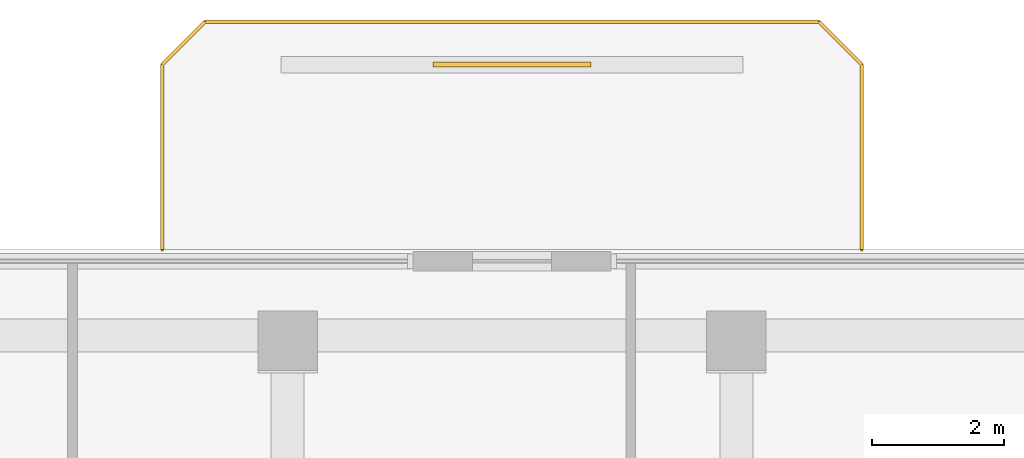
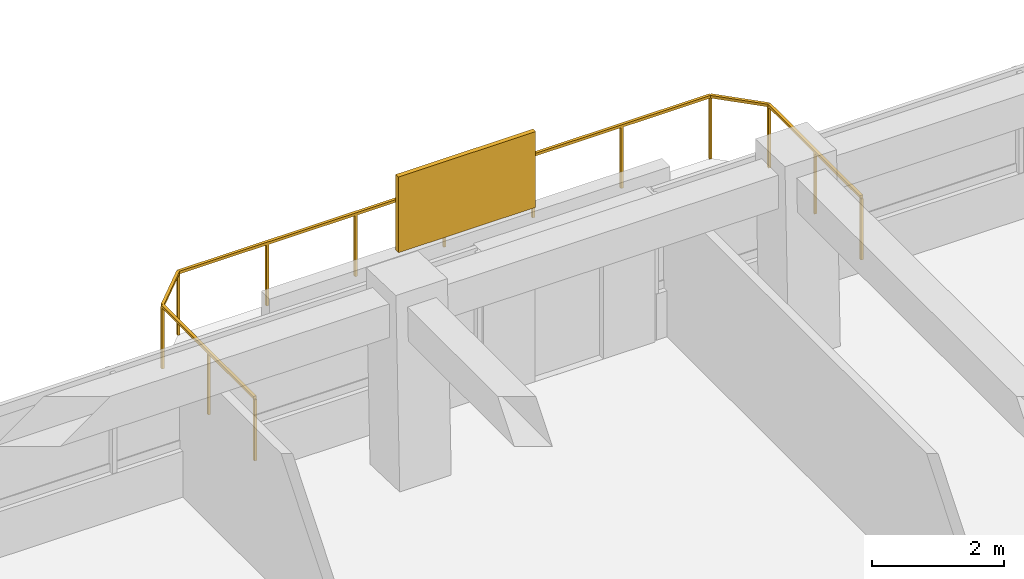
# One storey, part 13 of 13: 1 railing, 1 shading device.
"""IFC4 building model written with IfcOpenShell, lengths in metres."""

import ifcopenshell
import ifcopenshell.guid

model = None  # the IFC model being written
_history = None  # IfcOwnerHistory: only IFC2X3 demands one
_inside = {}  # id of a spatial element -> (the spatial element, [elements in it])
_under = {}  # id of a project, library or spatial element -> (it, [spatial elements below it])
_declared = {}  # id of a project -> (the project, [libraries it declares])
_typed = {}  # id of a type object -> (the type object, [elements of that type])
_made_of = {}  # id of a material, layer set ... -> (it, [elements and type objects made of it])


def new_model(schema):
    """Start an empty IFC model of exactly this schema.

    Asked for "IFC4X3", IfcOpenShell would pick the latest addendum, in which some entities
    have other attributes; the version numbers below select the first issue.
    IFC2X3 requires an IfcOwnerHistory on every rooted entity: one is made here for all.
    """
    global model, _history
    if schema == "IFC4X3":
        model = ifcopenshell.file(schema_version=(4, 3, 0, 0))
    else:
        model = ifcopenshell.file(schema=schema)
    _inside.clear()
    _under.clear()
    _declared.clear()
    _typed.clear()
    _made_of.clear()
    _history = None
    if model.schema == "IFC2X3":
        org = make("IfcOrganization", Name="unknown")
        user = make(
            "IfcPersonAndOrganization",
            ThePerson=make("IfcPerson", FamilyName="unknown"),
            TheOrganization=org,
        )
        app = make(
            "IfcApplication",
            ApplicationDeveloper=org,
            Version="unknown",
            ApplicationFullName="unknown",
            ApplicationIdentifier="unknown",
        )
        _history = make(
            "IfcOwnerHistory",
            OwningUser=user,
            OwningApplication=app,
            ChangeAction="ADDED",
            CreationDate=0,
        )
    return model


def make(cls, **values):
    """One entity of the class cls with the attributes given. An attribute that is None is left unset."""
    return model.create_entity(
        cls, **{name: value for name, value in values.items() if value is not None}
    )


def rooted(cls, **values):
    """An entity with a GlobalId (a new one), such as an element, a storey or a relation."""
    return make(cls, GlobalId=ifcopenshell.guid.new(), OwnerHistory=_history, **values)


def si_unit(unit_type, name, prefix=None):
    """IfcSIUnit, for example si_unit("LENGTHUNIT", "METRE", prefix="MILLI")."""
    return make("IfcSIUnit", UnitType=unit_type, Prefix=prefix, Name=name)


def derived_unit(unit_type, elements):
    """IfcDerivedUnit: a product of units, each with its exponent."""
    return make(
        "IfcDerivedUnit",
        Elements=[
            make("IfcDerivedUnitElement", Unit=unit, Exponent=power)
            for unit, power in elements
        ],
        UnitType=unit_type,
    )


def assignment(units):
    """IfcUnitAssignment: the units of a project."""
    return None if units is None else make("IfcUnitAssignment", Units=units)


def point(xyz):
    """IfcCartesianPoint."""
    return None if xyz is None else make("IfcCartesianPoint", Coordinates=xyz)


def direction(xyz):
    """IfcDirection."""
    return None if xyz is None else make("IfcDirection", DirectionRatios=xyz)


def frame(location, z_axis=None, x_axis=None):
    """IfcAxis2Placement3D, a coordinate frame: its origin and axes. An axis left out is left unset."""
    return make(
        "IfcAxis2Placement3D",
        Location=point(location),
        Axis=direction(z_axis),
        RefDirection=direction(x_axis),
    )


def frame_2d(location, x_axis=None):
    """IfcAxis2Placement2D, a coordinate frame in the plane: its origin and x axis."""
    return make(
        "IfcAxis2Placement2D", Location=point(location), RefDirection=direction(x_axis)
    )


def origin():
    """The frame at (0, 0, 0) with its axes left unset."""
    return frame((0.0, 0.0, 0.0))


def origin_2d():
    """The frame at (0, 0) in the plane with its x axis left unset."""
    return frame_2d((0.0, 0.0))


def place(relative_to, where):
    """IfcLocalPlacement: puts the frame where relative to a parent placement (None: the world)."""
    return make(
        "IfcLocalPlacement", PlacementRelTo=relative_to, RelativePlacement=where
    )


def context(
    kind, dimensions, precision=None, world=None, true_north=None, identifier=None
):
    """IfcGeometricRepresentationContext, for example the 3D "Model" context."""
    return make(
        "IfcGeometricRepresentationContext",
        ContextIdentifier=identifier,
        ContextType=kind,
        CoordinateSpaceDimension=dimensions,
        Precision=precision,
        WorldCoordinateSystem=world,
        TrueNorth=true_north,
    )


def subcontext(parent, identifier, kind, view, scale=None):
    """IfcGeometricRepresentationSubContext, for example "Body" below "Model"."""
    return make(
        "IfcGeometricRepresentationSubContext",
        ContextIdentifier=identifier,
        ContextType=kind,
        ParentContext=parent,
        TargetScale=scale,
        TargetView=view,
    )


def project(units=None, contexts=None):
    """IfcProject with its units and contexts."""
    return rooted(
        "IfcProject",
        Name="project",
        RepresentationContexts=contexts,
        UnitsInContext=assignment(units),
    )


def spatial(cls, under=None, at=None, **own):
    """A site, building, storey or space (cls), placed at a placement, below another one or the project."""
    s = rooted(cls, ObjectPlacement=at, **own)
    if under is not None:
        _under.setdefault(under.id(), (under, []))[1].append(s)
    return s


def profile(cls, at=None, kind="AREA", **sizes):
    """A parametric profile (cls). Its sizes go by their IFC names, for example OverallWidth=200.0."""
    return make(cls, ProfileType=kind, Position=at, **sizes)


def rectangle(**sizes):
    """IfcRectangleProfileDef."""
    return profile("IfcRectangleProfileDef", **sizes)


def extrude(swept, where, along, depth):
    """IfcExtrudedAreaSolid: the profile swept, set in the frame where, extruded along a direction by depth."""
    return make(
        "IfcExtrudedAreaSolid",
        SweptArea=swept,
        Position=where,
        ExtrudedDirection=direction(along),
        Depth=depth,
    )


def shape(context_of_items, identifier, shape_type, items):
    """IfcShapeRepresentation: the items that make up one representation, for example the "Body"."""
    return make(
        "IfcShapeRepresentation",
        ContextOfItems=context_of_items,
        RepresentationIdentifier=identifier,
        RepresentationType=shape_type,
        Items=items,
    )


def material(Name=None, Category=None):
    """IfcMaterial."""
    return make("IfcMaterial", Name=Name, Category=Category)


def layer(
    of_material, thickness, ventilated=None, Name=None, Category=None, Priority=None
):
    """IfcMaterialLayer: one layer of a wall or slab, of a material (None: an air gap)."""
    return make(
        "IfcMaterialLayer",
        Material=of_material,
        LayerThickness=thickness,
        IsVentilated=ventilated,
        Name=Name,
        Category=Category,
        Priority=Priority,
    )


def layer_set(layers, Name=None):
    """IfcMaterialLayerSet."""
    return make("IfcMaterialLayerSet", MaterialLayers=layers, LayerSetName=Name)


def made_of(thing, what):
    """Note that an element or type object is made of a material, layer set ...; save() writes the relation."""
    if what is not None:
        _made_of.setdefault(what.id(), (what, []))[1].append(thing)
    return thing


def type_object(cls, material=None, **own):
    """A type object (cls), such as IfcWallType, which elements share."""
    return made_of(rooted(cls, **own), material)


def element(
    cls,
    number,
    at=None,
    inside=None,
    cuts=None,
    type_object=None,
    material=None,
    context=None,
    identifier="Body",
    shape_type=None,
    held_by="IfcProductDefinitionShape",
    body=None,
    shapes=None,
    **own,
):
    """One element of the class cls, such as IfcWall. Its Tag is "e" and its number.

    at: its placement. inside: the storey or other place that contains it. cuts: it is an
    opening in that element (IfcRelVoidsElement). A single representation is given by context,
    identifier, shape_type and body (its items); several are given by shapes. held_by: the class
    of the entity that holds the representations. save() writes the other relations.
    """
    e = rooted(cls, Tag="e%d" % number, ObjectPlacement=at, **own)
    if body is not None:
        shapes = [shape(context, identifier, shape_type, body)]
    if shapes is not None:
        e.Representation = make(held_by, Representations=shapes)
    if inside is not None:
        _inside.setdefault(inside.id(), (inside, []))[1].append(e)
    if cuts is not None:
        rooted(
            "IfcRelVoidsElement", RelatingBuildingElement=cuts, RelatedOpeningElement=e
        )
    if type_object is not None:
        _typed.setdefault(type_object.id(), (type_object, []))[1].append(e)
    return made_of(e, material)


def aggregate(whole, parts):
    """IfcRelAggregates: a whole, such as a stair, and the parts it consists of."""
    return rooted("IfcRelAggregates", RelatingObject=whole, RelatedObjects=parts)


def save(model, path):
    """Write the relations noted so far, then the file.

    IfcRelAggregates (storeys below a building ...), IfcRelContainedInSpatialStructure (elements
    in a storey), IfcRelDefinesByType, IfcRelAssociatesMaterial and IfcRelDeclares: one each for
    every whole, place, type object, material and project.
    """
    for whole, parts in _under.values():
        aggregate(whole, parts)
    for where, things in _inside.values():
        rooted(
            "IfcRelContainedInSpatialStructure",
            RelatedElements=things,
            RelatingStructure=where,
        )
    for kind, things in _typed.values():
        rooted("IfcRelDefinesByType", RelatedObjects=things, RelatingType=kind)
    for what, things in _made_of.values():
        rooted("IfcRelAssociatesMaterial", RelatedObjects=things, RelatingMaterial=what)
    for by, libraries in _declared.values():
        rooted("IfcRelDeclares", RelatingContext=by, RelatedDefinitions=libraries)
    model.write(path)


model = new_model("IFC4")

# Units and contexts
model_context = context("Model", 3, precision=1e-05, world=origin(), true_north=direction((0.0, 1.0)))
body_context = subcontext(model_context, "Body", "Model", "MODEL_VIEW")
ifc_project = project(units=[si_unit("LENGTHUNIT", "METRE"), si_unit("AREAUNIT", "SQUARE_METRE"), si_unit("VOLUMEUNIT", "CUBIC_METRE"), si_unit("PLANEANGLEUNIT", "RADIAN"), si_unit("MASSUNIT", "GRAM", prefix="KILO"), derived_unit("THERMALTRANSMITTANCEUNIT", [(si_unit("POWERUNIT", "WATT"), 1), (si_unit("LENGTHUNIT", "METRE"), -2), (si_unit("THERMODYNAMICTEMPERATUREUNIT", "KELVIN"), -1)])], contexts=[model_context])

# Site, building, storey
site_placement = place(None, origin())
site = spatial("IfcSite", under=ifc_project, at=site_placement, CompositionType="ELEMENT")
building_placement = place(site_placement, origin())
building = spatial("IfcBuilding", under=site, at=building_placement, Name="Koralith Skygarden Medical Center", CompositionType="ELEMENT")
storey_placement = place(building_placement, frame((0.0, 0.0, 217.97998046875)))
storey = spatial("IfcBuildingStorey", under=building, at=storey_placement, Name="L56", CompositionType="ELEMENT", Elevation=217.97998046875)

# Railing
ifc_material_1 = material(Name="Steel ASTM A500 Grade C", Category="steel")
railing_type = type_object("IfcRailingType", Name="Outdoor Terrace & Balcony Safety Guardrail 1180", PredefinedType="GUARDRAIL", material=ifc_material_1)
railing_placement = place(storey_placement, frame((42.300048828125, 48.583984375, 0.0)))
element("IfcRailing", 1, at=railing_placement, inside=storey, type_object=railing_type, Name="L56 N Balcony Perimeter Guardrail", PredefinedType="GUARDRAIL", context=body_context, shape_type="SweptSolid", body=[
    extrude(rectangle(XDim=0.050048828125, YDim=0.050048828125, at=origin_2d()), frame((0.0, 0.001953125, 1.15478515625), z_axis=(0.0, 1.0, 0.0), x_axis=(-1.0, 0.0, 0.0)), (0.0, 0.0, 1.0), 2.797119140625),
    extrude(rectangle(XDim=0.050048828125, YDim=0.050048828125, at=origin_2d()), frame((-0.00146484375, 2.802490234375, 1.15478515625), z_axis=(-0.707239558722, 0.706973978714, 0.0), x_axis=(-0.706973978714, -0.707239558722, 0.0)), (0.0, 0.0, 1.0), 0.915283203125),
    extrude(rectangle(XDim=0.050048828125, YDim=0.050048828125, at=origin_2d()), frame((-0.652099609375, 3.450927734375, 1.15478515625), z_axis=(-1.0, 0.0, 0.0), x_axis=(0.0, -1.0, 0.0)), (0.0, 0.0, 1.0), 9.2958984375),
    extrude(rectangle(XDim=0.050048828125, YDim=0.050048828125, at=origin_2d()), frame((-9.951416015625, 3.449462890625, 1.15478515625), z_axis=(-0.707239558722, -0.706973978714, 0.0), x_axis=(0.706973978714, -0.707239558722, 0.0)), (0.0, 0.0, 1.0), 0.915283203125),
    extrude(rectangle(XDim=0.050048828125, YDim=0.050048828125, at=origin_2d()), frame((-10.60009765625, 2.799072265625, 1.15478515625), z_axis=(0.0, -1.0, 0.0), x_axis=(1.0, 0.0, 0.0)), (0.0, 0.0, 1.0), 2.797119140625),
    extrude(rectangle(XDim=0.0419921875, YDim=0.0419921875, at=origin_2d()), origin(), (0.0, 0.0, 1.0), 1.1279296875),
    extrude(rectangle(XDim=0.0419921875, YDim=0.0419921875, at=origin_2d()), frame((0.0, 1.400390625, 0.0)), (0.0, 0.0, 1.0), 1.1279296875),
    extrude(rectangle(XDim=0.0419921875, YDim=0.0419921875, at=origin_2d()), frame((0.0, 2.801025390625, 0.0)), (0.0, 0.0, 1.0), 1.1279296875),
    extrude(rectangle(XDim=0.0419921875, YDim=0.0419921875, at=origin_2d()), frame((-0.650146484375, 3.450927734375, 0.0)), (0.0, 0.0, 1.0), 1.1279296875),
    extrude(rectangle(XDim=0.0419921875, YDim=0.0419921875, at=origin_2d()), frame((-2.2001953125, 3.450927734375, 0.0)), (0.0, 0.0, 1.0), 1.1279296875),
    extrude(rectangle(XDim=0.0419921875, YDim=0.0419921875, at=origin_2d()), frame((-3.75, 3.450927734375, 0.0)), (0.0, 0.0, 1.0), 1.1279296875),
    extrude(rectangle(XDim=0.0419921875, YDim=0.0419921875, at=origin_2d()), frame((-5.300048828125, 3.450927734375, 0.0)), (0.0, 0.0, 1.0), 1.1279296875),
    extrude(rectangle(XDim=0.0419921875, YDim=0.0419921875, at=origin_2d()), frame((-6.85009765625, 3.450927734375, 0.0)), (0.0, 0.0, 1.0), 1.1279296875),
    extrude(rectangle(XDim=0.0419921875, YDim=0.0419921875, at=origin_2d()), frame((-8.39990234375, 3.450927734375, 0.0)), (0.0, 0.0, 1.0), 1.1279296875),
    extrude(rectangle(XDim=0.0419921875, YDim=0.0419921875, at=origin_2d()), frame((-9.949951171875, 3.450927734375, 0.0)), (0.0, 0.0, 1.0), 1.1279296875),
    extrude(rectangle(XDim=0.0419921875, YDim=0.0419921875, at=origin_2d()), frame((-10.60009765625, 2.801025390625, 0.0)), (0.0, 0.0, 1.0), 1.1279296875),
    extrude(rectangle(XDim=0.0419921875, YDim=0.0419921875, at=origin_2d()), frame((-10.60009765625, 1.400390625, 0.0)), (0.0, 0.0, 1.0), 1.1279296875),
    extrude(rectangle(XDim=0.0419921875, YDim=0.0419921875, at=origin_2d()), frame((-10.60009765625, 0.0, 0.0)), (0.0, 0.0, 1.0), 1.1279296875),
])

# Shading device
ifc_material_2 = material(Name="Aluminium 6063-T6", Category="aluminium")
ifc_layer = layer(ifc_material_2, 0.080078125)
ifc_layer_set = layer_set([ifc_layer], Name="Aluminium 6063-T6")
shading_device_type = type_object("IfcShadingDeviceType", Name="Perforated Biophilic Balcony Trellis Screen", PredefinedType="USERDEFINED", material=ifc_layer_set)
shading_device_placement = place(storey_placement, frame((37.0, 51.385009765625, 0.719970703125), z_axis=(0.0, 0.0, 1.0), x_axis=(1.0, 0.0, 0.0)))
element("IfcShadingDevice", 2, at=shading_device_placement, inside=storey, type_object=shading_device_type, Name="L56 N Biophilic Balcony Trellis Screen", ObjectType="HURRICANE SCREEN", PredefinedType="USERDEFINED", context=body_context, shape_type="SweptSolid", body=[
    extrude(rectangle(XDim=2.39990234375, YDim=0.080078125, at=origin_2d()), origin(), (0.0, 0.0, 1.0), 1.39990234375),
])

save(model, "model.ifc")
